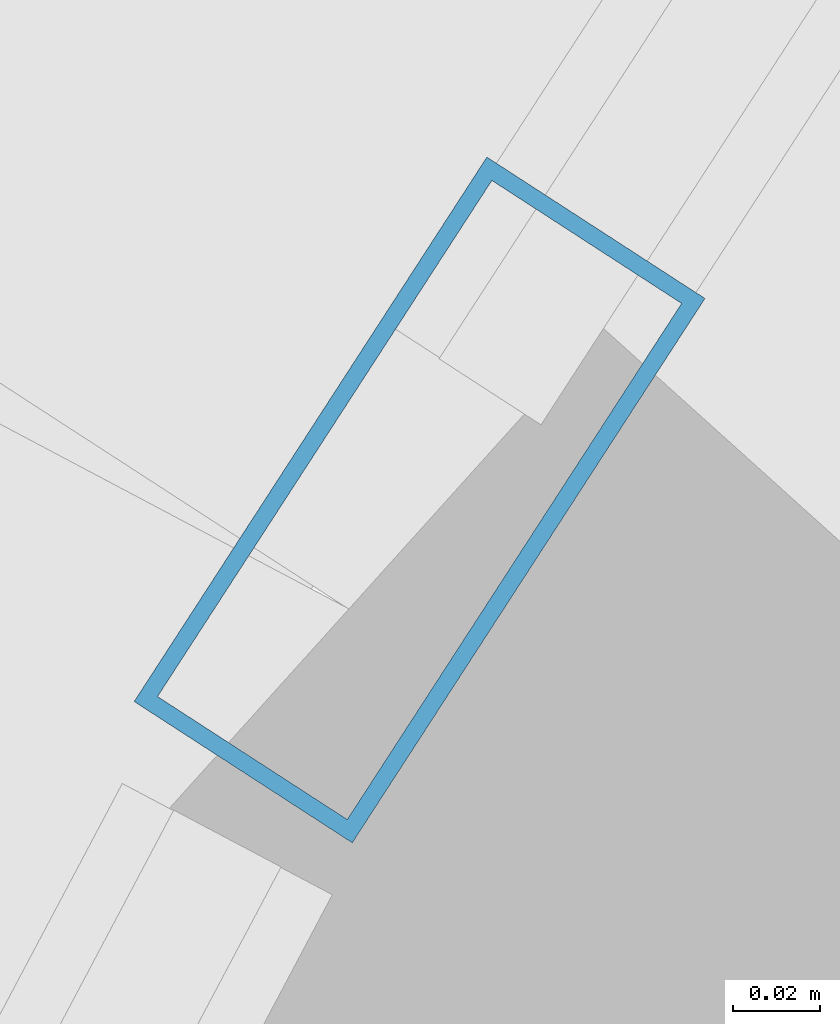
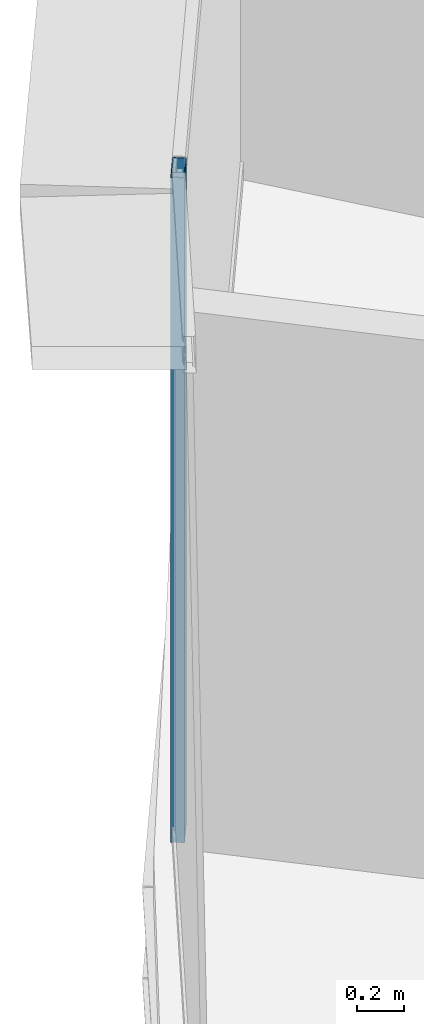
# One storey, part 16 of 42: 1 member, 1 element without a shape of its own.
"""IFC4 building model written with IfcOpenShell, lengths in metres."""

from ifc_helpers import new_model, si_unit, direction, frame, origin, origin_2d, place, context, subcontext, project, spatial, hollow_rectangle, extrude, source, transform, mapped, material, layer, layer_set, material_profile, profile_set, type_object, element, aggregate, save


model = new_model("IFC4")

# Units and contexts
model_context = context("Model", 3, precision=1e-05, world=origin(), true_north=direction((0.0, 1.0)))
body_context = subcontext(model_context, "Body", "Model", "MODEL_VIEW")
ifc_project = project(units=[si_unit("LENGTHUNIT", "METRE"), si_unit("AREAUNIT", "SQUARE_METRE"), si_unit("VOLUMEUNIT", "CUBIC_METRE"), si_unit("PLANEANGLEUNIT", "RADIAN"), si_unit("MASSUNIT", "GRAM", prefix="KILO"), si_unit("THERMODYNAMICTEMPERATUREUNIT", "KELVIN"), si_unit("POWERUNIT", "WATT")], contexts=[model_context])

# Site, building, storey
site_placement = place(None, origin())
site = spatial("IfcSite", under=ifc_project, at=site_placement, CompositionType="ELEMENT")
building_placement = place(site_placement, origin())
building = spatial("IfcBuilding", under=site, at=building_placement, Name="Yunzhuo Pagoda Commons", CompositionType="ELEMENT")
storey_placement = place(building_placement, frame((0.0, 0.0, 137.18994140625)))
storey = spatial("IfcBuildingStorey", under=building, at=storey_placement, Name="L34", CompositionType="ELEMENT", Elevation=137.18994140625)

# Curtain wall, member
ifc_material = material(Name="Anodized aluminium 6063-T6", Category="aluminium")
ifc_layer = layer(ifc_material, 0.14990234375)
ifc_layer_set = layer_set([ifc_layer], Name="Anodized aluminium 6063-T6")
curtain_wall_type = type_object("IfcCurtainWallType", Name="CW-MID Mid-Zone Ribbon Curtain Wall", PredefinedType="NOTDEFINED", material=ifc_layer_set)
curtain_wall_placement = place(storey_placement, origin())
curtain_wall = element("IfcCurtainWall", 1, at=curtain_wall_placement, inside=storey, type_object=curtain_wall_type, Name="L34 curtain wall CW-L34-F3B2", PredefinedType="NOTDEFINED")
ifc_material_profile = material_profile(ifc_material, hollow_rectangle(XDim=0.06005859375, YDim=0.14990234375, WallThickness=0.00390625, at=origin_2d()), Name="Anodized aluminium 6063-T6")
ifc_profile_set = profile_set([ifc_material_profile], Name="Anodized aluminium 6063-T6")
member_type = type_object("IfcMemberType", Name="CW-MID-M Mullion RHS 150x60x4", PredefinedType="MULLION", material=ifc_profile_set)
shared_shape = source(origin(), body_context, "Body", "SweptSolid", [
    extrude(hollow_rectangle(XDim=0.06005859375, YDim=0.14990234375, WallThickness=0.00390625, at=origin_2d()), origin(), (0.0, 0.0, 1.0), 3.420166015625),
])
member_placement = place(storey_placement, frame((22.842529296875, 56.391845703125, 0.0), z_axis=(0.0, 0.0, 1.0), x_axis=(0.839249165596, -0.543747034977, 0.0)))
member = element("IfcMember", 2, at=member_placement, type_object=member_type, Name="CW mullion 2", PredefinedType="MULLION", context=body_context, shape_type="MappedRepresentation", body=[
    mapped(shared_shape, transform((0.0, 0.0, 0.0), scale=1.0)),
])
aggregate(curtain_wall, [member])

save(model, "model.ifc")
